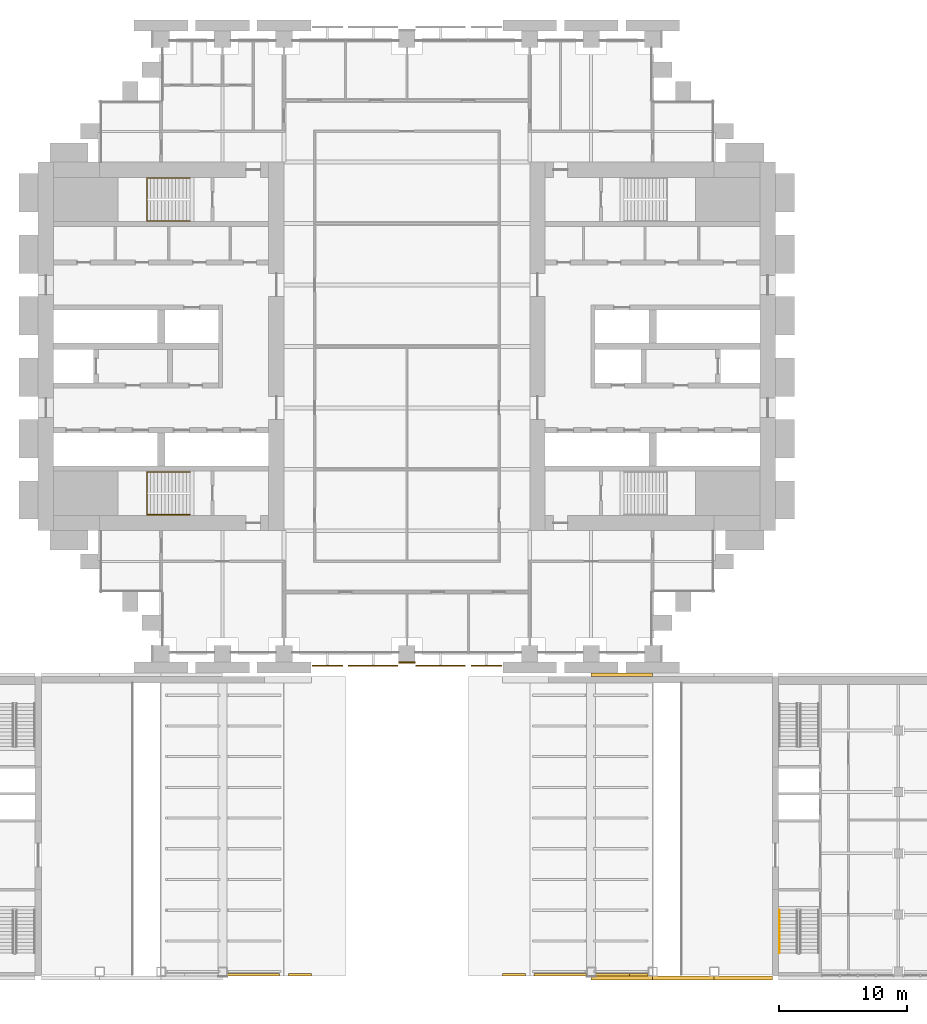
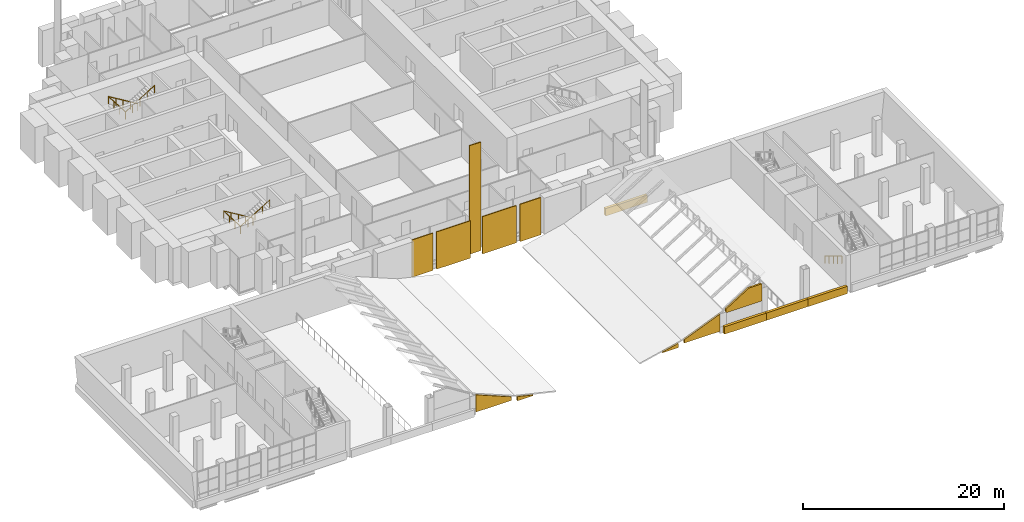
# One storey, part 29 of 32: 14 coverings, 3 railings.
"""IFC4 building model written with IfcOpenShell, lengths in metres."""

from ifc_helpers import new_model, si_unit, direction, frame, origin, origin_2d, place, context, subcontext, project, spatial, polyline, rectangle, circle, outline, extrude, material, layer, layer_set, type_object, element, save


model = new_model("IFC4")

# Units and contexts
model_context = context("Model", 3, precision=1e-05, world=origin(), true_north=direction((0.0, 1.0)))
body_context = subcontext(model_context, "Body", "Model", "MODEL_VIEW")
ifc_project = project(units=[si_unit("LENGTHUNIT", "METRE"), si_unit("AREAUNIT", "SQUARE_METRE"), si_unit("VOLUMEUNIT", "CUBIC_METRE"), si_unit("PLANEANGLEUNIT", "RADIAN"), si_unit("MASSUNIT", "GRAM", prefix="KILO")], contexts=[model_context])

# Site, building, storey
site_placement = place(None, origin())
site = spatial("IfcSite", under=ifc_project, at=site_placement, CompositionType="ELEMENT")
building_placement = place(site_placement, origin())
building = spatial("IfcBuilding", under=site, at=building_placement, Name="Baori Bourse Tower", CompositionType="ELEMENT")
storey_placement = place(building_placement, frame((0.0, 0.0, 12.60009765625)))
storey = spatial("IfcBuildingStorey", under=building, at=storey_placement, Name="L01", CompositionType="ELEMENT", Elevation=12.60009765625)

# Railings
ifc_material_1 = material(Name="Powder-coated steel balustrade", Category="steel")
railing_type_1 = type_object("IfcRailingType", Name="Core stair handrail", PredefinedType="HANDRAIL", material=ifc_material_1)
railing_1_placement = place(storey_placement, frame((11.85009765625, 14.199951171875, 0.169189453125)))
element("IfcRailing", 1, at=railing_1_placement, inside=storey, type_object=railing_type_1, Name="L01 ST1 stair handrail 1", PredefinedType="HANDRAIL", context=body_context, shape_type="SweptSolid", body=[
    extrude(circle(Radius=0.02392578125, at=origin_2d()), frame((0.0, 0.0, 0.8759765625), z_axis=(-0.855836976705, 0.0, 0.517245656632), x_axis=(0.0, -1.0, 0.0)), (0.0, 0.0, 1.0), 3.926025390625),
    extrude(circle(Radius=0.02392578125, at=origin_2d()), frame((-3.360107421875, 0.0, 2.90673828125), z_axis=(0.0, -0.998726980575, 0.050442227064), x_axis=(1.0, 0.0, 0.0)), (0.0, 0.0, 1.0), 3.35400390625),
    extrude(circle(Radius=0.02392578125, at=origin_2d()), frame((-3.360107421875, -3.349853515625, 3.07568359375), z_axis=(0.855836976705, 0.0, 0.517245656632), x_axis=(0.0, 1.0, 0.0)), (0.0, 0.0, 1.0), 3.926025390625),
    extrude(circle(Radius=0.02099609375, at=origin_2d()), origin(), (0.0, 0.0, 1.0), 0.851806640625),
    extrude(circle(Radius=0.02099609375, at=origin_2d()), frame((-0.840087890625, 0.0, 0.5078125)), (0.0, 0.0, 1.0), 0.851806640625),
    extrude(circle(Radius=0.02099609375, at=origin_2d()), frame((-1.68017578125, 0.0, 1.015380859375)), (0.0, 0.0, 1.0), 0.851806640625),
    extrude(circle(Radius=0.02099609375, at=origin_2d()), frame((-2.52001953125, 0.0, 1.52294921875)), (0.0, 0.0, 1.0), 0.851806640625),
    extrude(circle(Radius=0.02099609375, at=origin_2d()), frame((-3.360107421875, 0.0, 2.03076171875)), (0.0, 0.0, 1.0), 0.851806640625),
    extrude(circle(Radius=0.02099609375, at=origin_2d()), frame((-3.360107421875, -1.11669921875, 2.087158203125)), (0.0, 0.0, 1.0), 0.851806640625),
    extrude(circle(Radius=0.02099609375, at=origin_2d()), frame((-3.360107421875, -2.233154296875, 2.1435546875)), (0.0, 0.0, 1.0), 0.851806640625),
    extrude(circle(Radius=0.02099609375, at=origin_2d()), frame((-3.360107421875, -3.349853515625, 2.199951171875)), (0.0, 0.0, 1.0), 0.851806640625),
    extrude(circle(Radius=0.02099609375, at=origin_2d()), frame((-2.52001953125, -3.349853515625, 2.70751953125)), (0.0, 0.0, 1.0), 0.851806640625),
    extrude(circle(Radius=0.02099609375, at=origin_2d()), frame((-1.68017578125, -3.349853515625, 3.21533203125)), (0.0, 0.0, 1.0), 0.851806640625),
    extrude(circle(Radius=0.02099609375, at=origin_2d()), frame((-0.840087890625, -3.349853515625, 3.72314453125)), (0.0, 0.0, 1.0), 0.851806640625),
    extrude(circle(Radius=0.02099609375, at=origin_2d()), frame((0.0, -3.349853515625, 4.230712890625)), (0.0, 0.0, 1.0), 0.851806640625),
])
railing_2_placement = place(storey_placement, frame((11.85009765625, 37.14990234375, 0.169189453125)))
element("IfcRailing", 2, at=railing_2_placement, inside=storey, type_object=railing_type_1, Name="L01 ST2 stair handrail 1", PredefinedType="HANDRAIL", context=body_context, shape_type="SweptSolid", body=[
    extrude(circle(Radius=0.02392578125, at=origin_2d()), frame((0.0, 0.0, 0.8759765625), z_axis=(-0.855836976705, 0.0, 0.517245656632), x_axis=(0.0, -1.0, 0.0)), (0.0, 0.0, 1.0), 3.926025390625),
    extrude(circle(Radius=0.02392578125, at=origin_2d()), frame((-3.360107421875, 0.0, 2.90673828125), z_axis=(0.0, -0.998726980575, 0.050442227064), x_axis=(1.0, 0.0, 0.0)), (0.0, 0.0, 1.0), 3.35400390625),
    extrude(circle(Radius=0.02392578125, at=origin_2d()), frame((-3.360107421875, -3.349853515625, 3.07568359375), z_axis=(0.855836976705, 0.0, 0.517245656632), x_axis=(0.0, 1.0, 0.0)), (0.0, 0.0, 1.0), 3.926025390625),
    extrude(circle(Radius=0.02099609375, at=origin_2d()), origin(), (0.0, 0.0, 1.0), 0.851806640625),
    extrude(circle(Radius=0.02099609375, at=origin_2d()), frame((-0.840087890625, 0.0, 0.5078125)), (0.0, 0.0, 1.0), 0.851806640625),
    extrude(circle(Radius=0.02099609375, at=origin_2d()), frame((-1.68017578125, 0.0, 1.015380859375)), (0.0, 0.0, 1.0), 0.851806640625),
    extrude(circle(Radius=0.02099609375, at=origin_2d()), frame((-2.52001953125, 0.0, 1.52294921875)), (0.0, 0.0, 1.0), 0.851806640625),
    extrude(circle(Radius=0.02099609375, at=origin_2d()), frame((-3.360107421875, 0.0, 2.03076171875)), (0.0, 0.0, 1.0), 0.851806640625),
    extrude(circle(Radius=0.02099609375, at=origin_2d()), frame((-3.360107421875, -1.11669921875, 2.087158203125)), (0.0, 0.0, 1.0), 0.851806640625),
    extrude(circle(Radius=0.02099609375, at=origin_2d()), frame((-3.360107421875, -2.233154296875, 2.1435546875)), (0.0, 0.0, 1.0), 0.851806640625),
    extrude(circle(Radius=0.02099609375, at=origin_2d()), frame((-3.360107421875, -3.349853515625, 2.199951171875)), (0.0, 0.0, 1.0), 0.851806640625),
    extrude(circle(Radius=0.02099609375, at=origin_2d()), frame((-2.52001953125, -3.349853515625, 2.70751953125)), (0.0, 0.0, 1.0), 0.851806640625),
    extrude(circle(Radius=0.02099609375, at=origin_2d()), frame((-1.68017578125, -3.349853515625, 3.21533203125)), (0.0, 0.0, 1.0), 0.851806640625),
    extrude(circle(Radius=0.02099609375, at=origin_2d()), frame((-0.840087890625, -3.349853515625, 3.72314453125)), (0.0, 0.0, 1.0), 0.851806640625),
    extrude(circle(Radius=0.02099609375, at=origin_2d()), frame((0.0, -3.349853515625, 4.230712890625)), (0.0, 0.0, 1.0), 0.851806640625),
])

# Coverings
ifc_material_2 = material(Name="Pale anodised aluminium", Category="aluminium")
ifc_layer_1 = layer(ifc_material_2, 0.199951171875)
ifc_layer_set_1 = layer_set([ifc_layer_1], Name="Fascia metal band 200")
covering_type_1 = type_object("IfcCoveringType", Name="Fascia metal band 200", PredefinedType="CLADDING", material=ifc_layer_set_1)
covering_1_placement = place(storey_placement, frame((14.75, -25.10009765625, 0.2998046875), z_axis=(0.0, 0.0, 1.0), x_axis=(1.0, 0.0, 0.0)))
element("IfcCovering", 3, at=covering_1_placement, inside=storey, type_object=covering_type_1, Name="wing/L01/fascia/002", PredefinedType="CLADDING", context=body_context, shape_type="SweptSolid", body=[
    extrude(outline(polyline([(0.0, 0.0), (4.10009765625, 0.0), (4.10009765625, 0.434326171875), (0.0, 2.110595703125), (0.0, 0.0)])), frame((0.0, 0.10009765625, 0.0), z_axis=(0.0, -1.0, 0.0), x_axis=(1.0, 0.0, 0.0)), (0.0, 0.0, 1.0), 0.199951171875),
])
covering_2_placement = place(storey_placement, frame((19.550048828125, -25.10009765625, 0.0), z_axis=(0.0, 0.0, 1.0), x_axis=(1.0, 0.0, 0.0)))
element("IfcCovering", 4, at=covering_2_placement, inside=storey, type_object=covering_type_1, Name="wing/L01/fascia/003", PredefinedType="CLADDING", context=body_context, shape_type="SweptSolid", body=[
    extrude(outline(polyline([(0.0, 0.0), (1.791015625, 0.0), (1.791015625, 0.099853515625), (0.0, 0.517333984375), (0.0, 0.0)])), frame((0.0, 0.10009765625, 0.0), z_axis=(0.0, -1.0, 0.0), x_axis=(1.0, 0.0, 0.0)), (0.0, 0.0, 1.0), 0.199951171875),
])
covering_3_placement = place(storey_placement, frame((36.259033203125, -25.10009765625, 0.0), z_axis=(0.0, 0.0, 1.0), x_axis=(1.0, 0.0, 0.0)))
element("IfcCovering", 5, at=covering_3_placement, inside=storey, type_object=covering_type_1, Name="wing/L01/fascia/004", PredefinedType="CLADDING", context=body_context, shape_type="SweptSolid", body=[
    extrude(outline(polyline([(0.0, 0.0), (1.791015625, 0.0), (1.791015625, 0.517333984375), (0.0, 0.099853515625), (0.0, 0.0)])), frame((0.0, 0.10009765625, 0.0), z_axis=(0.0, -1.0, 0.0), x_axis=(1.0, 0.0, 0.0)), (0.0, 0.0, 1.0), 0.199951171875),
])
covering_4_placement = place(storey_placement, frame((38.75, -25.10009765625, 0.2998046875), z_axis=(0.0, 0.0, 1.0), x_axis=(1.0, 0.0, 0.0)))
element("IfcCovering", 6, at=covering_4_placement, inside=storey, type_object=covering_type_1, Name="wing/L01/fascia/005", PredefinedType="CLADDING", context=body_context, shape_type="SweptSolid", body=[
    extrude(outline(polyline([(0.0, 0.0), (4.10009765625, 0.0), (4.10009765625, 2.110595703125), (0.0, 0.434326171875), (0.0, 0.0)])), frame((0.0, 0.10009765625, 0.0), z_axis=(0.0, -1.0, 0.0), x_axis=(1.0, 0.0, 0.0)), (0.0, 0.0, 1.0), 0.199951171875),
])
covering_5_placement = place(storey_placement, frame((43.550048828125, -25.10009765625, 2.2998046875), z_axis=(0.0, 0.0, 1.0), x_axis=(1.0, 0.0, 0.0)))
element("IfcCovering", 7, at=covering_5_placement, inside=storey, type_object=covering_type_1, Name="wing/L01/fascia/006", PredefinedType="CLADDING", context=body_context, shape_type="SweptSolid", body=[
    extrude(outline(polyline([(0.0, 0.0), (4.099853515625, 0.0), (4.10009765625, 2.10009765625), (2.626220703125, 2.10009765625), (0.0, 0.457763671875), (0.0, 0.0)])), frame((0.0, 0.10009765625, 0.0), z_axis=(0.0, -1.0, 0.0), x_axis=(1.0, 0.0, 0.0)), (0.0, 0.0, 1.0), 0.199951171875),
])
ifc_material_3 = material(Name="Pale anodised aluminium", Category="aluminium")
ifc_layer_2 = layer(ifc_material_3, 0.10009765625)
ifc_layer_set_2 = layer_set([ifc_layer_2], Name="OS3 Outer skin screen panel")
covering_type_2 = type_object("IfcCoveringType", Name="OS3 Outer skin screen panel", PredefinedType="CLADDING", material=ifc_layer_set_2)
covering_6_placement = place(storey_placement, frame((0.0, 0.0, -0.300048828125)))
element("IfcCovering", 8, at=covering_6_placement, inside=storey, type_object=covering_type_2, Name="Outer skin screen L01 5", PredefinedType="CLADDING", context=body_context, shape_type="SweptSolid", body=[
    extrude(outline(polyline([(23.77490234375, -0.89990234375), (21.39990234375, -0.89990234375), (21.39990234375, -1.0), (23.77490234375, -1.0), (23.77490234375, -0.89990234375)])), origin(), (0.0, 0.0, 1.0), 4.5400390625),
])
covering_7_placement = place(storey_placement, frame((0.0, 0.0, -0.300048828125)))
element("IfcCovering", 9, at=covering_7_placement, inside=storey, type_object=covering_type_2, Name="Outer skin screen L01 6", PredefinedType="CLADDING", context=body_context, shape_type="SweptSolid", body=[
    extrude(outline(polyline([(28.10009765625, -0.89990234375), (24.22509765625, -0.89990234375), (24.22509765625, -1.0), (28.10009765625, -1.0), (28.10009765625, -0.89990234375)])), origin(), (0.0, 0.0, 1.0), 4.5400390625),
])
covering_8_placement = place(storey_placement, frame((0.0, 0.0, -0.300048828125)))
element("IfcCovering", 10, at=covering_8_placement, inside=storey, type_object=covering_type_2, Name="Outer skin screen L01 7", PredefinedType="CLADDING", context=body_context, shape_type="SweptSolid", body=[
    extrude(outline(polyline([(33.375, -0.89990234375), (29.5, -0.89990234375), (29.5, -1.0), (33.375, -1.0), (33.375, -0.89990234375)])), origin(), (0.0, 0.0, 1.0), 4.5400390625),
])
covering_9_placement = place(storey_placement, frame((0.0, 0.0, -0.300048828125)))
element("IfcCovering", 11, at=covering_9_placement, inside=storey, type_object=covering_type_2, Name="Outer skin screen L01 8", PredefinedType="CLADDING", context=body_context, shape_type="SweptSolid", body=[
    extrude(outline(polyline([(36.199951171875, -0.89990234375), (33.824951171875, -0.89990234375), (33.824951171875, -1.0), (36.199951171875, -1.0), (36.199951171875, -0.89990234375)])), origin(), (0.0, 0.0, 1.0), 4.5400390625),
])
ifc_material_4 = material(Name="Face brick", Category="masonry")
ifc_layer_3 = layer(ifc_material_4, 0.110107421875)
ifc_layer_set_3 = layer_set([ifc_layer_3], Name="PC1 Brick pier facing")
covering_type_3 = type_object("IfcCoveringType", Name="PC1 Brick pier facing", PredefinedType="CLADDING", material=ifc_layer_set_3)
covering_10_placement = place(storey_placement, frame((28.800048828125, -0.705078125, 0.0), z_axis=(0.0, 0.0, 1.0), x_axis=(1.0, 0.0, 0.0)))
element("IfcCovering", 12, at=covering_10_placement, inside=storey, type_object=covering_type_3, Name="Brick pier facing L01 2", PredefinedType="CLADDING", context=body_context, shape_type="SweptSolid", body=[
    extrude(rectangle(XDim=1.300048828125, YDim=0.110107421875, at=origin_2d()), origin(), (0.0, 0.0, 1.0), 13.199951171875),
])
ifc_material_5 = material(Name="Pale anodised aluminium", Category="aluminium")
ifc_layer_4 = layer(ifc_material_5, 0.300048828125)
ifc_layer_set_4 = layer_set([ifc_layer_4], Name="Pale metal band 900x300")
covering_type_4 = type_object("IfcCoveringType", Name="Pale metal band 900x300", PredefinedType="CLADDING", material=ifc_layer_set_4)
covering_11_placement = place(storey_placement, origin())
element("IfcCovering", 13, at=covering_11_placement, inside=storey, type_object=covering_type_4, Name="BAND", PredefinedType="CLADDING", context=body_context, shape_type="SweptSolid", body=[
    extrude(outline(polyline([(43.199951171875, -25.5), (48.0, -25.5), (48.0, -25.199951171875), (43.199951171875, -25.199951171875), (43.199951171875, -25.5)])), origin(), (0.0, 0.0, 1.0), 0.89990234375),
])
covering_12_placement = place(storey_placement, origin())
element("IfcCovering", 14, at=covering_12_placement, inside=storey, type_object=covering_type_4, Name="BAND", PredefinedType="CLADDING", context=body_context, shape_type="SweptSolid", body=[
    extrude(outline(polyline([(43.199951171875, -1.800048828125), (48.0, -1.800048828125), (48.0, -1.5), (43.199951171875, -1.5), (43.199951171875, -1.800048828125)])), origin(), (0.0, 0.0, 1.0), 0.89990234375),
])
covering_13_placement = place(storey_placement, origin())
element("IfcCovering", 15, at=covering_13_placement, inside=storey, type_object=covering_type_4, Name="BAND", PredefinedType="CLADDING", context=body_context, shape_type="SweptSolid", body=[
    extrude(outline(polyline([(48.0, -25.5), (52.800048828125, -25.5), (52.800048828125, -25.199951171875), (48.0, -25.199951171875), (48.0, -25.5)])), origin(), (0.0, 0.0, 1.0), 0.89990234375),
])
covering_14_placement = place(storey_placement, origin())
element("IfcCovering", 16, at=covering_14_placement, inside=storey, type_object=covering_type_4, Name="BAND", PredefinedType="CLADDING", context=body_context, shape_type="SweptSolid", body=[
    extrude(outline(polyline([(52.800048828125, -25.5), (57.35009765625, -25.5), (57.35009765625, -25.199951171875), (52.800048828125, -25.199951171875), (52.800048828125, -25.5)])), origin(), (0.0, 0.0, 1.0), 0.89990234375),
])

# Railing
ifc_material_6 = material(Name="Stainless steel AISI 316", Category="steel")
railing_type_2 = type_object("IfcRailingType", Name="Wing handrail 900", PredefinedType="HANDRAIL", material=ifc_material_6)
railing_3_placement = place(storey_placement, frame((57.89990234375, -20.0400390625, 0.169189453125)))
element("IfcRailing", 17, at=railing_3_placement, inside=storey, type_object=railing_type_2, Name="L01 E-STB stair handrail 1", PredefinedType="HANDRAIL", context=body_context, shape_type="SweptSolid", body=[
    extrude(circle(Radius=0.02392578125, at=origin_2d()), frame((0.0, 0.0, 0.8759765625), z_axis=(0.0, -0.855820338506, 0.51727318527), x_axis=(1.0, 0.0, 0.0)), (0.0, 0.0, 1.0), 3.92578125),
    extrude(circle(Radius=0.02099609375, at=origin_2d()), origin(), (0.0, 0.0, 1.0), 0.851806640625),
    extrude(circle(Radius=0.02099609375, at=origin_2d()), frame((0.0, -0.83984375, 0.5078125)), (0.0, 0.0, 1.0), 0.851806640625),
    extrude(circle(Radius=0.02099609375, at=origin_2d()), frame((0.0, -1.679931640625, 1.015380859375)), (0.0, 0.0, 1.0), 0.851806640625),
    extrude(circle(Radius=0.02099609375, at=origin_2d()), frame((0.0, -2.52001953125, 1.52294921875)), (0.0, 0.0, 1.0), 0.851806640625),
    extrude(circle(Radius=0.02099609375, at=origin_2d()), frame((0.0, -3.35986328125, 2.03076171875)), (0.0, 0.0, 1.0), 0.851806640625),
])

save(model, "model.ifc")
